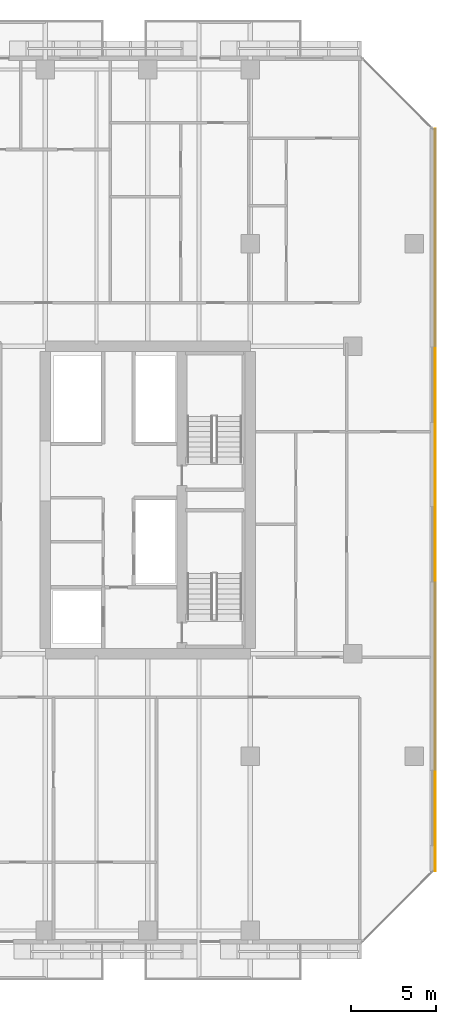
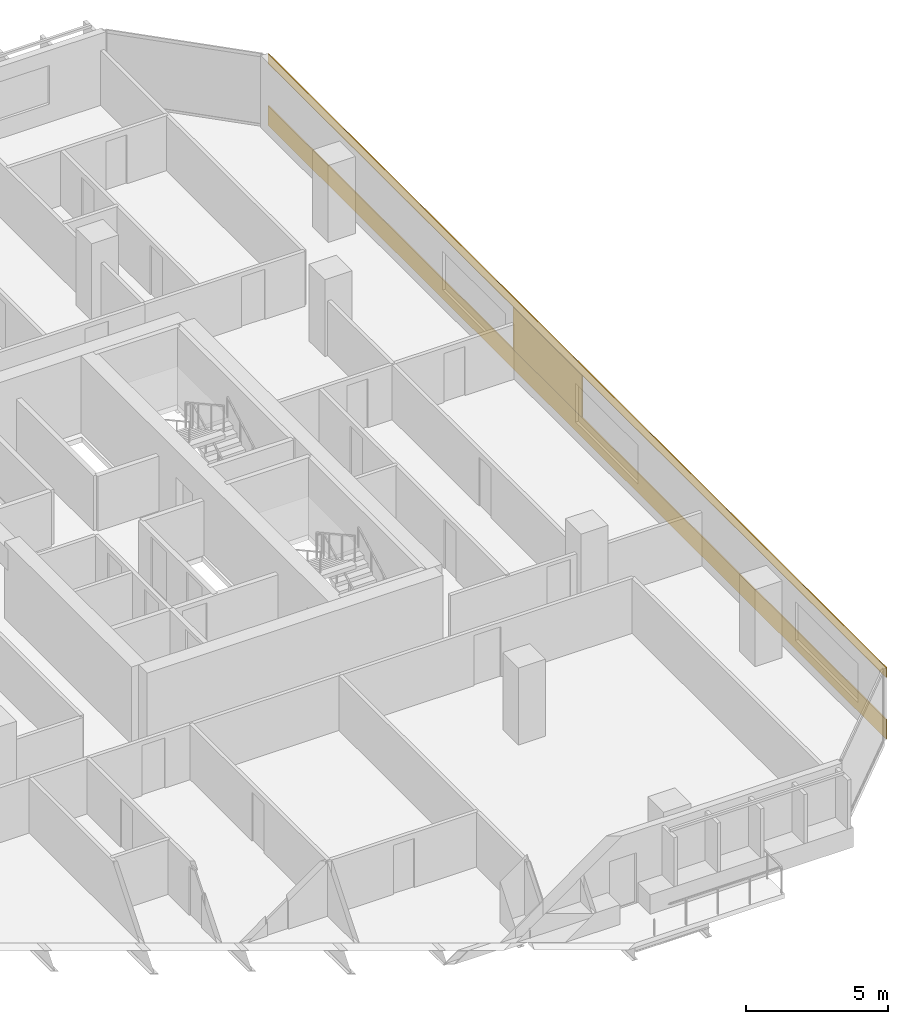
# One storey, part 33 of 34: 3 coverings.
"""IFC4 building model written with IfcOpenShell, lengths in metres."""

from ifc_helpers import new_model, si_unit, direction, frame, origin, origin_2d, place, context, subcontext, project, spatial, rectangle, extrude, material, layer, layer_set, type_object, element, save


model = new_model("IFC4")

# Units and contexts
model_context = context("Model", 3, precision=1e-05, world=origin(), true_north=direction((0.0, 1.0)))
body_context = subcontext(model_context, "Body", "Model", "MODEL_VIEW")
ifc_project = project(units=[si_unit("LENGTHUNIT", "METRE"), si_unit("AREAUNIT", "SQUARE_METRE"), si_unit("VOLUMEUNIT", "CUBIC_METRE"), si_unit("PLANEANGLEUNIT", "RADIAN"), si_unit("MASSUNIT", "GRAM", prefix="KILO")], contexts=[model_context])

# Site, building, storey
site_placement = place(None, origin())
site = spatial("IfcSite", under=ifc_project, at=site_placement, CompositionType="ELEMENT")
building_placement = place(site_placement, origin())
building = spatial("IfcBuilding", under=site, at=building_placement, Name="Tanjung Sevakor Pilgrim Tower", CompositionType="ELEMENT")
storey_placement = place(building_placement, frame((0.0, 0.0, 55.43994140625)))
storey = spatial("IfcBuildingStorey", under=building, at=storey_placement, Name="L15", CompositionType="ELEMENT", Elevation=55.43994140625)

# Coverings
ifc_material = material(Name="Reconstructed Limestone Cladding", Category="masonry")
ifc_layer = layer(ifc_material, 0.044921875)
ifc_layer_set = layer_set([ifc_layer], Name="COV-CLAD-LIMESTONE")
covering_type = type_object("IfcCoveringType", Name="COV-CLAD-LIMESTONE", PredefinedType="CLADDING", material=ifc_layer_set)
covering_1_placement = place(storey_placement, frame((100.822509765625, 33.60009765625, 0.01025390625), z_axis=(0.0, 0.0, 1.0), x_axis=(0.0, 1.0, 0.0)))
element("IfcCovering", 1, at=covering_1_placement, inside=storey, type_object=covering_type, Name="L15 Warm Limestone Sill Spandrel EW-L15-MAIN-7-1", PredefinedType="CLADDING", context=body_context, shape_type="SweptSolid", body=[
    extrude(rectangle(XDim=43.404052734375, YDim=0.044921875, at=origin_2d()), origin(), (0.0, 0.0, 1.0), 0.840087890625),
])
covering_2_placement = place(storey_placement, frame((100.822509765625, 33.60009765625, 2.66015625), z_axis=(0.0, 0.0, 1.0), x_axis=(0.0, 1.0, 0.0)))
element("IfcCovering", 2, at=covering_2_placement, inside=storey, type_object=covering_type, Name="L15 Warm Limestone Cornice Spandrel EW-L15-MAIN-7", PredefinedType="CLADDING", context=body_context, shape_type="SweptSolid", body=[
    extrude(rectangle(XDim=43.444091796875, YDim=0.044921875, at=origin_2d()), origin(), (0.0, 0.0, 1.0), 0.409912109375),
])
covering_3_placement = place(storey_placement, frame((100.822509765625, 35.679931640625, 0.85009765625), z_axis=(0.0, 0.0, 1.0), x_axis=(0.0, 1.0, 0.0)))
element("IfcCovering", 3, at=covering_3_placement, inside=storey, type_object=covering_type, Name="L15 Warm Limestone Pier Panel EW-L15-MAIN-7-2", PredefinedType="CLADDING", context=body_context, shape_type="SweptSolid", body=[
    extrude(rectangle(XDim=4.840087890625, YDim=0.044921875, at=origin_2d()), origin(), (0.0, 0.0, 1.0), 1.81005859375),
])

save(model, "model.ifc")
